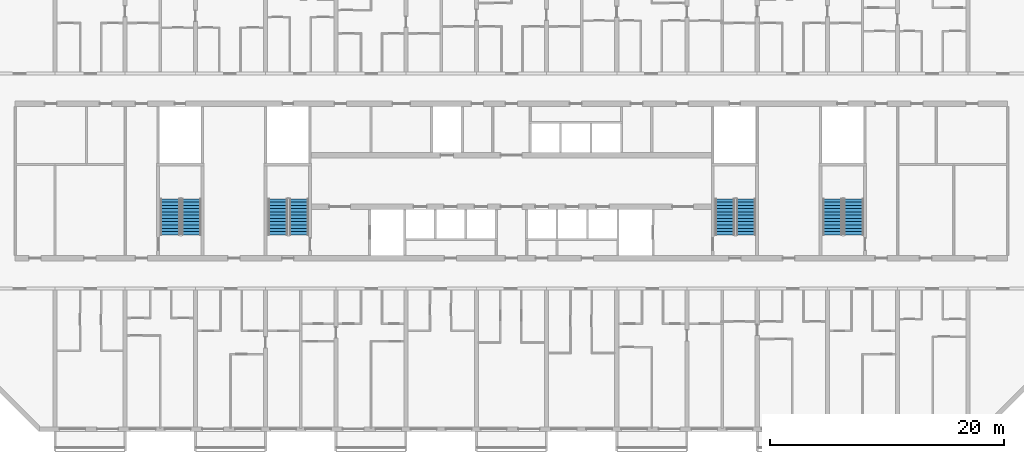
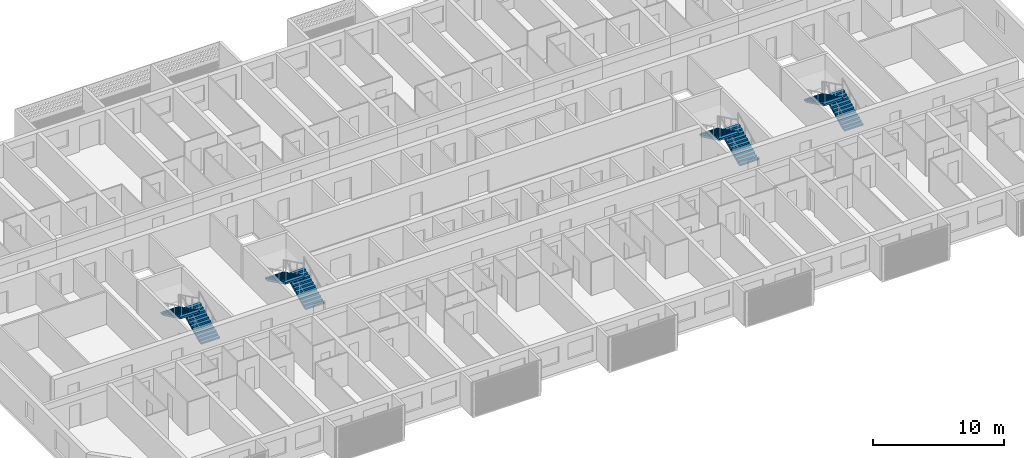
# One storey, part 17 of 31: 8 stair flights, 4 elements without a shape of their own.
"""IFC4 building model written with IfcOpenShell, lengths in metres."""

import ifcopenshell
import ifcopenshell.guid

model = None  # the IFC model being written
_history = None  # IfcOwnerHistory: only IFC2X3 demands one
_inside = {}  # id of a spatial element -> (the spatial element, [elements in it])
_under = {}  # id of a project, library or spatial element -> (it, [spatial elements below it])
_declared = {}  # id of a project -> (the project, [libraries it declares])
_typed = {}  # id of a type object -> (the type object, [elements of that type])
_made_of = {}  # id of a material, layer set ... -> (it, [elements and type objects made of it])


def new_model(schema):
    """Start an empty IFC model of exactly this schema.

    Asked for "IFC4X3", IfcOpenShell would pick the latest addendum, in which some entities
    have other attributes; the version numbers below select the first issue.
    IFC2X3 requires an IfcOwnerHistory on every rooted entity: one is made here for all.
    """
    global model, _history
    if schema == "IFC4X3":
        model = ifcopenshell.file(schema_version=(4, 3, 0, 0))
    else:
        model = ifcopenshell.file(schema=schema)
    _inside.clear()
    _under.clear()
    _declared.clear()
    _typed.clear()
    _made_of.clear()
    _history = None
    if model.schema == "IFC2X3":
        org = make("IfcOrganization", Name="unknown")
        user = make(
            "IfcPersonAndOrganization",
            ThePerson=make("IfcPerson", FamilyName="unknown"),
            TheOrganization=org,
        )
        app = make(
            "IfcApplication",
            ApplicationDeveloper=org,
            Version="unknown",
            ApplicationFullName="unknown",
            ApplicationIdentifier="unknown",
        )
        _history = make(
            "IfcOwnerHistory",
            OwningUser=user,
            OwningApplication=app,
            ChangeAction="ADDED",
            CreationDate=0,
        )
    return model


def make(cls, **values):
    """One entity of the class cls with the attributes given. An attribute that is None is left unset."""
    return model.create_entity(
        cls, **{name: value for name, value in values.items() if value is not None}
    )


def rooted(cls, **values):
    """An entity with a GlobalId (a new one), such as an element, a storey or a relation."""
    return make(cls, GlobalId=ifcopenshell.guid.new(), OwnerHistory=_history, **values)


def si_unit(unit_type, name, prefix=None):
    """IfcSIUnit, for example si_unit("LENGTHUNIT", "METRE", prefix="MILLI")."""
    return make("IfcSIUnit", UnitType=unit_type, Prefix=prefix, Name=name)


def assignment(units):
    """IfcUnitAssignment: the units of a project."""
    return None if units is None else make("IfcUnitAssignment", Units=units)


def point(xyz):
    """IfcCartesianPoint."""
    return None if xyz is None else make("IfcCartesianPoint", Coordinates=xyz)


def direction(xyz):
    """IfcDirection."""
    return None if xyz is None else make("IfcDirection", DirectionRatios=xyz)


def frame(location, z_axis=None, x_axis=None):
    """IfcAxis2Placement3D, a coordinate frame: its origin and axes. An axis left out is left unset."""
    return make(
        "IfcAxis2Placement3D",
        Location=point(location),
        Axis=direction(z_axis),
        RefDirection=direction(x_axis),
    )


def origin():
    """The frame at (0, 0, 0) with its axes left unset."""
    return frame((0.0, 0.0, 0.0))


def place(relative_to, where):
    """IfcLocalPlacement: puts the frame where relative to a parent placement (None: the world)."""
    return make(
        "IfcLocalPlacement", PlacementRelTo=relative_to, RelativePlacement=where
    )


def context(
    kind, dimensions, precision=None, world=None, true_north=None, identifier=None
):
    """IfcGeometricRepresentationContext, for example the 3D "Model" context."""
    return make(
        "IfcGeometricRepresentationContext",
        ContextIdentifier=identifier,
        ContextType=kind,
        CoordinateSpaceDimension=dimensions,
        Precision=precision,
        WorldCoordinateSystem=world,
        TrueNorth=true_north,
    )


def subcontext(parent, identifier, kind, view, scale=None):
    """IfcGeometricRepresentationSubContext, for example "Body" below "Model"."""
    return make(
        "IfcGeometricRepresentationSubContext",
        ContextIdentifier=identifier,
        ContextType=kind,
        ParentContext=parent,
        TargetScale=scale,
        TargetView=view,
    )


def project(units=None, contexts=None):
    """IfcProject with its units and contexts."""
    return rooted(
        "IfcProject",
        Name="project",
        RepresentationContexts=contexts,
        UnitsInContext=assignment(units),
    )


def spatial(cls, under=None, at=None, **own):
    """A site, building, storey or space (cls), placed at a placement, below another one or the project."""
    s = rooted(cls, ObjectPlacement=at, **own)
    if under is not None:
        _under.setdefault(under.id(), (under, []))[1].append(s)
    return s


def polyline(points):
    """IfcPolyline through the points."""
    return make("IfcPolyline", Points=[point(p) for p in points])


def outline(outer, holes=None, kind="AREA"):
    """IfcArbitraryClosedProfileDef: a profile drawn as a closed curve; with holes, ...WithVoids."""
    if holes is None:
        return make("IfcArbitraryClosedProfileDef", ProfileType=kind, OuterCurve=outer)
    return make(
        "IfcArbitraryProfileDefWithVoids",
        ProfileType=kind,
        OuterCurve=outer,
        InnerCurves=holes,
    )


def extrude(swept, where, along, depth):
    """IfcExtrudedAreaSolid: the profile swept, set in the frame where, extruded along a direction by depth."""
    return make(
        "IfcExtrudedAreaSolid",
        SweptArea=swept,
        Position=where,
        ExtrudedDirection=direction(along),
        Depth=depth,
    )


def shape(context_of_items, identifier, shape_type, items):
    """IfcShapeRepresentation: the items that make up one representation, for example the "Body"."""
    return make(
        "IfcShapeRepresentation",
        ContextOfItems=context_of_items,
        RepresentationIdentifier=identifier,
        RepresentationType=shape_type,
        Items=items,
    )


def material(Name=None, Category=None):
    """IfcMaterial."""
    return make("IfcMaterial", Name=Name, Category=Category)


def layer(
    of_material, thickness, ventilated=None, Name=None, Category=None, Priority=None
):
    """IfcMaterialLayer: one layer of a wall or slab, of a material (None: an air gap)."""
    return make(
        "IfcMaterialLayer",
        Material=of_material,
        LayerThickness=thickness,
        IsVentilated=ventilated,
        Name=Name,
        Category=Category,
        Priority=Priority,
    )


def layer_set(layers, Name=None):
    """IfcMaterialLayerSet."""
    return make("IfcMaterialLayerSet", MaterialLayers=layers, LayerSetName=Name)


def made_of(thing, what):
    """Note that an element or type object is made of a material, layer set ...; save() writes the relation."""
    if what is not None:
        _made_of.setdefault(what.id(), (what, []))[1].append(thing)
    return thing


def type_object(cls, material=None, **own):
    """A type object (cls), such as IfcWallType, which elements share."""
    return made_of(rooted(cls, **own), material)


def element(
    cls,
    number,
    at=None,
    inside=None,
    cuts=None,
    type_object=None,
    material=None,
    context=None,
    identifier="Body",
    shape_type=None,
    held_by="IfcProductDefinitionShape",
    body=None,
    shapes=None,
    **own,
):
    """One element of the class cls, such as IfcWall. Its Tag is "e" and its number.

    at: its placement. inside: the storey or other place that contains it. cuts: it is an
    opening in that element (IfcRelVoidsElement). A single representation is given by context,
    identifier, shape_type and body (its items); several are given by shapes. held_by: the class
    of the entity that holds the representations. save() writes the other relations.
    """
    e = rooted(cls, Tag="e%d" % number, ObjectPlacement=at, **own)
    if body is not None:
        shapes = [shape(context, identifier, shape_type, body)]
    if shapes is not None:
        e.Representation = make(held_by, Representations=shapes)
    if inside is not None:
        _inside.setdefault(inside.id(), (inside, []))[1].append(e)
    if cuts is not None:
        rooted(
            "IfcRelVoidsElement", RelatingBuildingElement=cuts, RelatedOpeningElement=e
        )
    if type_object is not None:
        _typed.setdefault(type_object.id(), (type_object, []))[1].append(e)
    return made_of(e, material)


def aggregate(whole, parts):
    """IfcRelAggregates: a whole, such as a stair, and the parts it consists of."""
    return rooted("IfcRelAggregates", RelatingObject=whole, RelatedObjects=parts)


def save(model, path):
    """Write the relations noted so far, then the file.

    IfcRelAggregates (storeys below a building ...), IfcRelContainedInSpatialStructure (elements
    in a storey), IfcRelDefinesByType, IfcRelAssociatesMaterial and IfcRelDeclares: one each for
    every whole, place, type object, material and project.
    """
    for whole, parts in _under.values():
        aggregate(whole, parts)
    for where, things in _inside.values():
        rooted(
            "IfcRelContainedInSpatialStructure",
            RelatedElements=things,
            RelatingStructure=where,
        )
    for kind, things in _typed.values():
        rooted("IfcRelDefinesByType", RelatedObjects=things, RelatingType=kind)
    for what, things in _made_of.values():
        rooted("IfcRelAssociatesMaterial", RelatedObjects=things, RelatingMaterial=what)
    for by, libraries in _declared.values():
        rooted("IfcRelDeclares", RelatingContext=by, RelatedDefinitions=libraries)
    model.write(path)


model = new_model("IFC4")

# Units and contexts
model_context = context("Model", 3, precision=1e-05, world=origin(), true_north=direction((0.0, 1.0)))
body_context = subcontext(model_context, "Body", "Model", "MODEL_VIEW")
ifc_project = project(units=[si_unit("LENGTHUNIT", "METRE"), si_unit("AREAUNIT", "SQUARE_METRE"), si_unit("VOLUMEUNIT", "CUBIC_METRE"), si_unit("PLANEANGLEUNIT", "RADIAN"), si_unit("MASSUNIT", "GRAM", prefix="KILO")], contexts=[model_context])

# Site, building, storey
site_placement = place(None, origin())
site = spatial("IfcSite", under=ifc_project, at=site_placement, CompositionType="ELEMENT")
building_placement = place(site_placement, origin())
building = spatial("IfcBuilding", under=site, at=building_placement, Name="Poui Terraces", CompositionType="ELEMENT")
storey_placement = place(building_placement, frame((0.0, 0.0, 82.800048828125)))
storey = spatial("IfcBuildingStorey", under=building, at=storey_placement, Name="L22", CompositionType="ELEMENT", Elevation=82.800048828125)

# Stair, stair flights
ifc_material = material(Name="Concrete 65 MPa", Category="concrete")
stair_type = type_object("IfcStairType", Name="EXIT STAIR 1650 65 MPA", PredefinedType="HALF_TURN_STAIR", material=ifc_material)
stair_1_placement = place(storey_placement, origin())
stair_1 = element("IfcStair", 1, at=stair_1_placement, inside=storey, type_object=stair_type, Name="L22 CORE STAIR EAST", PredefinedType="HALF_TURN_STAIR")
ifc_layer = layer(ifc_material, 0.14990234375)
ifc_layer_set = layer_set([ifc_layer], Name="Concrete 65 MPa")
stair_flight_type = type_object("IfcStairFlightType", Name="STAIR FLIGHT 12 RISERS 138 RISE 65 MPA", PredefinedType="STRAIGHT", material=ifc_layer_set)
stair_flight_1_placement = place(storey_placement, frame((71.050048828125, 16.60009765625, 0.0), z_axis=(0.0, 0.0, 1.0), x_axis=(0.0, 1.0, 0.0)))
stair_flight_1 = element("IfcStairFlight", 2, at=stair_flight_1_placement, type_object=stair_flight_type, Name="ST-CE flight 1", NumberOfRisers=12, NumberOfTreads=11, PredefinedType="STRAIGHT", RiserHeight=0.1375, TreadLength=0.28, context=body_context, shape_type="SweptSolid", body=[
    extrude(outline(polyline([(0.0, 0.0), (0.0, 0.137451171875), (0.280029296875, 0.137451171875), (0.280029296875, 0.27490234375), (0.56005859375, 0.27490234375), (0.56005859375, 0.41259765625), (0.840087890625, 0.41259765625), (0.840087890625, 0.550048828125), (1.1201171875, 0.550048828125), (1.1201171875, 0.6875), (1.39990234375, 0.6875), (1.39990234375, 0.824951171875), (1.679931640625, 0.824951171875), (1.679931640625, 0.96240234375), (1.9599609375, 0.96240234375), (1.9599609375, 1.10009765625), (2.239990234375, 1.10009765625), (2.239990234375, 1.237548828125), (2.52001953125, 1.237548828125), (2.52001953125, 1.375), (2.800048828125, 1.375), (2.800048828125, 1.512451171875), (3.080078125, 1.512451171875), (3.080078125, 1.64990234375), (3.080078125, 1.345458984375), (0.340087890625, 0.0), (0.0, 0.0)])), frame((0.0, 0.824951171875, 0.0), z_axis=(0.0, -1.0, 0.0), x_axis=(1.0, 0.0, 0.0)), (0.0, 0.0, 1.0), 1.64990234375),
])
stair_flight_2_placement = place(storey_placement, frame((69.25, 19.679931640625, 1.64990234375), z_axis=(0.0, 0.0, 1.0), x_axis=(0.0, -1.0, 0.0)))
stair_flight_2 = element("IfcStairFlight", 3, at=stair_flight_2_placement, type_object=stair_flight_type, Name="ST-CE flight 2", NumberOfRisers=12, NumberOfTreads=11, PredefinedType="STRAIGHT", RiserHeight=0.1375, TreadLength=0.28, context=body_context, shape_type="SweptSolid", body=[
    extrude(outline(polyline([(0.0, 0.0), (0.0, 0.137451171875), (0.280029296875, 0.137451171875), (0.280029296875, 0.27490234375), (0.56005859375, 0.27490234375), (0.56005859375, 0.41259765625), (0.840087890625, 0.41259765625), (0.840087890625, 0.550048828125), (1.1201171875, 0.550048828125), (1.1201171875, 0.6875), (1.39990234375, 0.6875), (1.39990234375, 0.824951171875), (1.679931640625, 0.824951171875), (1.679931640625, 0.96240234375), (1.9599609375, 0.96240234375), (1.9599609375, 1.10009765625), (2.239990234375, 1.10009765625), (2.239990234375, 1.237548828125), (2.52001953125, 1.237548828125), (2.52001953125, 1.375), (2.800048828125, 1.375), (2.800048828125, 1.512451171875), (3.080078125, 1.512451171875), (3.080078125, 1.64990234375), (3.080078125, 1.345458984375), (0.340087890625, 0.0), (0.0, 0.0)])), frame((0.0, 0.824951171875, 0.0), z_axis=(0.0, -1.0, 0.0), x_axis=(1.0, 0.0, 0.0)), (0.0, 0.0, 1.0), 1.64990234375),
])
aggregate(stair_1, [stair_flight_1, stair_flight_2])

stair_2_placement = place(storey_placement, origin())
stair_2 = element("IfcStair", 4, at=stair_2_placement, inside=storey, type_object=stair_type, Name="L22 CORE STAIR WEST", PredefinedType="HALF_TURN_STAIR")
stair_flight_3_placement = place(storey_placement, frame((32.85009765625, 16.60009765625, 0.0), z_axis=(0.0, 0.0, 1.0), x_axis=(0.0, 1.0, 0.0)))
stair_flight_3 = element("IfcStairFlight", 5, at=stair_flight_3_placement, type_object=stair_flight_type, Name="ST-CW flight 1", NumberOfRisers=12, NumberOfTreads=11, PredefinedType="STRAIGHT", RiserHeight=0.1375, TreadLength=0.28, context=body_context, shape_type="SweptSolid", body=[
    extrude(outline(polyline([(0.0, 0.0), (0.0, 0.137451171875), (0.280029296875, 0.137451171875), (0.280029296875, 0.27490234375), (0.56005859375, 0.27490234375), (0.56005859375, 0.41259765625), (0.840087890625, 0.41259765625), (0.840087890625, 0.550048828125), (1.1201171875, 0.550048828125), (1.1201171875, 0.6875), (1.39990234375, 0.6875), (1.39990234375, 0.824951171875), (1.679931640625, 0.824951171875), (1.679931640625, 0.96240234375), (1.9599609375, 0.96240234375), (1.9599609375, 1.10009765625), (2.239990234375, 1.10009765625), (2.239990234375, 1.237548828125), (2.52001953125, 1.237548828125), (2.52001953125, 1.375), (2.800048828125, 1.375), (2.800048828125, 1.512451171875), (3.080078125, 1.512451171875), (3.080078125, 1.64990234375), (3.080078125, 1.345458984375), (0.340087890625, 0.0), (0.0, 0.0)])), frame((0.0, 0.824951171875, 0.0), z_axis=(0.0, -1.0, 0.0), x_axis=(1.0, 0.0, 0.0)), (0.0, 0.0, 1.0), 1.64990234375),
])
stair_flight_4_placement = place(storey_placement, frame((31.050048828125, 19.679931640625, 1.64990234375), z_axis=(0.0, 0.0, 1.0), x_axis=(0.0, -1.0, 0.0)))
stair_flight_4 = element("IfcStairFlight", 6, at=stair_flight_4_placement, type_object=stair_flight_type, Name="ST-CW flight 2", NumberOfRisers=12, NumberOfTreads=11, PredefinedType="STRAIGHT", RiserHeight=0.1375, TreadLength=0.28, context=body_context, shape_type="SweptSolid", body=[
    extrude(outline(polyline([(0.0, 0.0), (0.0, 0.137451171875), (0.280029296875, 0.137451171875), (0.280029296875, 0.27490234375), (0.56005859375, 0.27490234375), (0.56005859375, 0.41259765625), (0.840087890625, 0.41259765625), (0.840087890625, 0.550048828125), (1.1201171875, 0.550048828125), (1.1201171875, 0.6875), (1.39990234375, 0.6875), (1.39990234375, 0.824951171875), (1.679931640625, 0.824951171875), (1.679931640625, 0.96240234375), (1.9599609375, 0.96240234375), (1.9599609375, 1.10009765625), (2.239990234375, 1.10009765625), (2.239990234375, 1.237548828125), (2.52001953125, 1.237548828125), (2.52001953125, 1.375), (2.800048828125, 1.375), (2.800048828125, 1.512451171875), (3.080078125, 1.512451171875), (3.080078125, 1.64990234375), (3.080078125, 1.345458984375), (0.340087890625, 0.0), (0.0, 0.0)])), frame((0.0, 0.824951171875, 0.0), z_axis=(0.0, -1.0, 0.0), x_axis=(1.0, 0.0, 0.0)), (0.0, 0.0, 1.0), 1.64990234375),
])
aggregate(stair_2, [stair_flight_3, stair_flight_4])

stair_3_placement = place(storey_placement, origin())
stair_3 = element("IfcStair", 7, at=stair_3_placement, inside=storey, type_object=stair_type, Name="L22 TIP STAIR EAST", PredefinedType="HALF_TURN_STAIR")
stair_flight_5_placement = place(storey_placement, frame((80.25, 16.60009765625, 0.0), z_axis=(0.0, 0.0, 1.0), x_axis=(0.0, 1.0, 0.0)))
stair_flight_5 = element("IfcStairFlight", 8, at=stair_flight_5_placement, type_object=stair_flight_type, Name="ST-E flight 1", NumberOfRisers=12, NumberOfTreads=11, PredefinedType="STRAIGHT", RiserHeight=0.1375, TreadLength=0.28, context=body_context, shape_type="SweptSolid", body=[
    extrude(outline(polyline([(0.0, 0.0), (0.0, 0.137451171875), (0.280029296875, 0.137451171875), (0.280029296875, 0.27490234375), (0.56005859375, 0.27490234375), (0.56005859375, 0.41259765625), (0.840087890625, 0.41259765625), (0.840087890625, 0.550048828125), (1.1201171875, 0.550048828125), (1.1201171875, 0.6875), (1.39990234375, 0.6875), (1.39990234375, 0.824951171875), (1.679931640625, 0.824951171875), (1.679931640625, 0.96240234375), (1.9599609375, 0.96240234375), (1.9599609375, 1.10009765625), (2.239990234375, 1.10009765625), (2.239990234375, 1.237548828125), (2.52001953125, 1.237548828125), (2.52001953125, 1.375), (2.800048828125, 1.375), (2.800048828125, 1.512451171875), (3.080078125, 1.512451171875), (3.080078125, 1.64990234375), (3.080078125, 1.345458984375), (0.340087890625, 0.0), (0.0, 0.0)])), frame((0.0, 0.824951171875, 0.0), z_axis=(0.0, -1.0, 0.0), x_axis=(1.0, 0.0, 0.0)), (0.0, 0.0, 1.0), 1.64990234375),
])
stair_flight_6_placement = place(storey_placement, frame((78.449951171875, 19.679931640625, 1.64990234375), z_axis=(0.0, 0.0, 1.0), x_axis=(0.0, -1.0, 0.0)))
stair_flight_6 = element("IfcStairFlight", 9, at=stair_flight_6_placement, type_object=stair_flight_type, Name="ST-E flight 2", NumberOfRisers=12, NumberOfTreads=11, PredefinedType="STRAIGHT", RiserHeight=0.1375, TreadLength=0.28, context=body_context, shape_type="SweptSolid", body=[
    extrude(outline(polyline([(0.0, 0.0), (0.0, 0.137451171875), (0.280029296875, 0.137451171875), (0.280029296875, 0.27490234375), (0.56005859375, 0.27490234375), (0.56005859375, 0.41259765625), (0.840087890625, 0.41259765625), (0.840087890625, 0.550048828125), (1.1201171875, 0.550048828125), (1.1201171875, 0.6875), (1.39990234375, 0.6875), (1.39990234375, 0.824951171875), (1.679931640625, 0.824951171875), (1.679931640625, 0.96240234375), (1.9599609375, 0.96240234375), (1.9599609375, 1.10009765625), (2.239990234375, 1.10009765625), (2.239990234375, 1.237548828125), (2.52001953125, 1.237548828125), (2.52001953125, 1.375), (2.800048828125, 1.375), (2.800048828125, 1.512451171875), (3.080078125, 1.512451171875), (3.080078125, 1.64990234375), (3.080078125, 1.345458984375), (0.340087890625, 0.0), (0.0, 0.0)])), frame((0.0, 0.824951171875, 0.0), z_axis=(0.0, -1.0, 0.0), x_axis=(1.0, 0.0, 0.0)), (0.0, 0.0, 1.0), 1.64990234375),
])
aggregate(stair_3, [stair_flight_5, stair_flight_6])

stair_4_placement = place(storey_placement, origin())
stair_4 = element("IfcStair", 10, at=stair_4_placement, inside=storey, type_object=stair_type, Name="L22 TIP STAIR WEST", PredefinedType="HALF_TURN_STAIR")
stair_flight_7_placement = place(storey_placement, frame((23.64990234375, 16.60009765625, 0.0), z_axis=(0.0, 0.0, 1.0), x_axis=(0.0, 1.0, 0.0)))
stair_flight_7 = element("IfcStairFlight", 11, at=stair_flight_7_placement, type_object=stair_flight_type, Name="ST-W flight 1", NumberOfRisers=12, NumberOfTreads=11, PredefinedType="STRAIGHT", RiserHeight=0.1375, TreadLength=0.28, context=body_context, shape_type="SweptSolid", body=[
    extrude(outline(polyline([(0.0, 0.0), (0.0, 0.137451171875), (0.280029296875, 0.137451171875), (0.280029296875, 0.27490234375), (0.56005859375, 0.27490234375), (0.56005859375, 0.41259765625), (0.840087890625, 0.41259765625), (0.840087890625, 0.550048828125), (1.1201171875, 0.550048828125), (1.1201171875, 0.6875), (1.39990234375, 0.6875), (1.39990234375, 0.824951171875), (1.679931640625, 0.824951171875), (1.679931640625, 0.96240234375), (1.9599609375, 0.96240234375), (1.9599609375, 1.10009765625), (2.239990234375, 1.10009765625), (2.239990234375, 1.237548828125), (2.52001953125, 1.237548828125), (2.52001953125, 1.375), (2.800048828125, 1.375), (2.800048828125, 1.512451171875), (3.080078125, 1.512451171875), (3.080078125, 1.64990234375), (3.080078125, 1.345458984375), (0.340087890625, 0.0), (0.0, 0.0)])), frame((0.0, 0.824951171875, 0.0), z_axis=(0.0, -1.0, 0.0), x_axis=(1.0, 0.0, 0.0)), (0.0, 0.0, 1.0), 1.64990234375),
])
stair_flight_8_placement = place(storey_placement, frame((21.85009765625, 19.679931640625, 1.64990234375), z_axis=(0.0, 0.0, 1.0), x_axis=(0.0, -1.0, 0.0)))
stair_flight_8 = element("IfcStairFlight", 12, at=stair_flight_8_placement, type_object=stair_flight_type, Name="ST-W flight 2", NumberOfRisers=12, NumberOfTreads=11, PredefinedType="STRAIGHT", RiserHeight=0.1375, TreadLength=0.28, context=body_context, shape_type="SweptSolid", body=[
    extrude(outline(polyline([(0.0, 0.0), (0.0, 0.137451171875), (0.280029296875, 0.137451171875), (0.280029296875, 0.27490234375), (0.56005859375, 0.27490234375), (0.56005859375, 0.41259765625), (0.840087890625, 0.41259765625), (0.840087890625, 0.550048828125), (1.1201171875, 0.550048828125), (1.1201171875, 0.6875), (1.39990234375, 0.6875), (1.39990234375, 0.824951171875), (1.679931640625, 0.824951171875), (1.679931640625, 0.96240234375), (1.9599609375, 0.96240234375), (1.9599609375, 1.10009765625), (2.239990234375, 1.10009765625), (2.239990234375, 1.237548828125), (2.52001953125, 1.237548828125), (2.52001953125, 1.375), (2.800048828125, 1.375), (2.800048828125, 1.512451171875), (3.080078125, 1.512451171875), (3.080078125, 1.64990234375), (3.080078125, 1.345458984375), (0.340087890625, 0.0), (0.0, 0.0)])), frame((0.0, 0.824951171875, 0.0), z_axis=(0.0, -1.0, 0.0), x_axis=(1.0, 0.0, 0.0)), (0.0, 0.0, 1.0), 1.64990234375),
])
aggregate(stair_4, [stair_flight_7, stair_flight_8])

save(model, "model.ifc")
